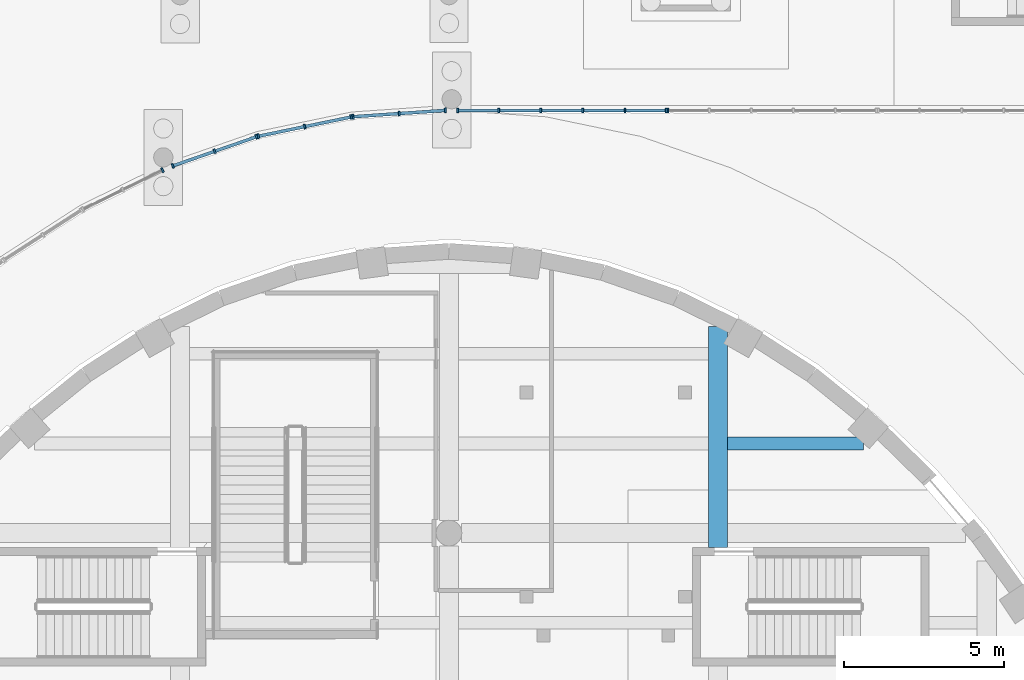
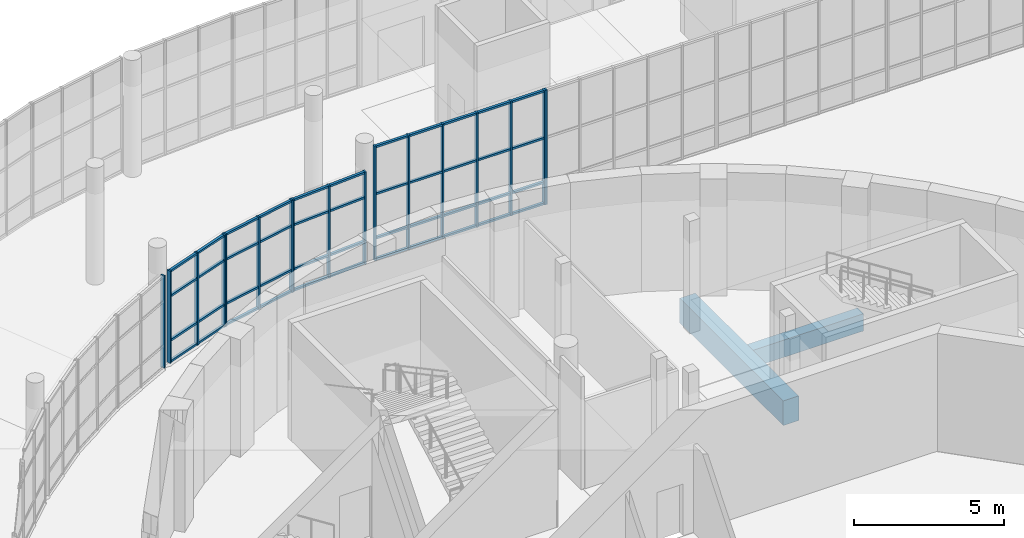
# One storey, part 32 of 110: 61 members, 2 beams, 6 elements without a shape of their own.
"""IFC4 building model written with IfcOpenShell, lengths in metres."""

from ifc_helpers import new_model, si_unit, direction, frame, origin, origin_2d, place, context, subcontext, project, spatial, rectangle, extrude, material, layer, layer_set, material_profile, profile_set, type_object, element, aggregate, save


model = new_model("IFC4")

# Units and contexts
model_context = context("Model", 3, precision=1e-05, world=origin(), true_north=direction((0.0, 1.0)))
body_context = subcontext(model_context, "Body", "Model", "MODEL_VIEW")
ifc_project = project(units=[si_unit("LENGTHUNIT", "METRE"), si_unit("AREAUNIT", "SQUARE_METRE"), si_unit("VOLUMEUNIT", "CUBIC_METRE"), si_unit("PLANEANGLEUNIT", "RADIAN"), si_unit("MASSUNIT", "GRAM", prefix="KILO")], contexts=[model_context])

# Site, building, storey
site_placement = place(None, origin())
site = spatial("IfcSite", under=ifc_project, at=site_placement, CompositionType="ELEMENT")
building_placement = place(site_placement, origin())
building = spatial("IfcBuilding", under=site, at=building_placement, Name="Larchfold Concert Hall", CompositionType="ELEMENT")
storey_placement = place(building_placement, origin())
storey = spatial("IfcBuildingStorey", under=building, at=storey_placement, Name="L00", CompositionType="ELEMENT", Elevation=0.0)

# Curtain wall, member
ifc_material_1 = material(Name="Anodised graphite aluminium curtain wall", Category="aluminium")
ifc_layer = layer(ifc_material_1, 0.14990234375)
ifc_layer_set = layer_set([ifc_layer], Name="Anodised graphite aluminium curtain wall")
curtain_wall_type = type_object("IfcCurtainWallType", Name="Curtain wall WG", PredefinedType="NOTDEFINED", material=ifc_layer_set)
curtain_wall_1_placement = place(storey_placement, origin())
curtain_wall_1 = element("IfcCurtainWall", 1, at=curtain_wall_1_placement, inside=storey, type_object=curtain_wall_type, Name="Curtain wall CW0086", PredefinedType="NOTDEFINED")
ifc_material_2 = material(Name="Anodised graphite aluminium mullion", Category="aluminium")
ifc_material_profile_1 = material_profile(ifc_material_2, rectangle(XDim=0.14990234375, YDim=0.06005859375, at=origin_2d()))
ifc_profile_set_1 = profile_set([ifc_material_profile_1], Name="Anodised graphite aluminium mullion")
member_type_1 = type_object("IfcMemberType", Name="Aluminium mullion 60x150", PredefinedType="MULLION", material=ifc_profile_set_1)
member_1_placement = place(storey_placement, frame((33.65087890625, 121.135498046875, 0.0), z_axis=(0.0, 0.0, 1.0), x_axis=(-0.442304846598, 0.896864773907, 0.0)))
member_1 = element("IfcMember", 2, at=member_1_placement, type_object=member_type_1, Name="CW0086 mullion 3", PredefinedType="MULLION", context=body_context, shape_type="SweptSolid", body=[
    extrude(rectangle(XDim=0.14990234375, YDim=0.06005859375, at=origin_2d()), origin(), (0.0, 0.0, 1.0), 3.75),
])
aggregate(curtain_wall_1, [member_1])

# Curtain wall, members
curtain_wall_2_placement = place(storey_placement, origin())
curtain_wall_2 = element("IfcCurtainWall", 3, at=curtain_wall_2_placement, inside=storey, type_object=curtain_wall_type, Name="Curtain wall CW0087", PredefinedType="NOTDEFINED")
member_2_placement = place(storey_placement, frame((33.97412109375, 121.268310546875, 0.0), z_axis=(0.0, 0.0, 1.0), x_axis=(-0.32896587199, 0.944341810504, 0.0)))
member_2 = element("IfcMember", 4, at=member_2_placement, type_object=member_type_1, Name="CW0087 mullion 1", PredefinedType="MULLION", context=body_context, shape_type="SweptSolid", body=[
    extrude(rectangle(XDim=0.14990234375, YDim=0.06005859375, at=origin_2d()), origin(), (0.0, 0.0, 1.0), 3.75),
])
member_3_placement = place(storey_placement, frame((35.28125, 121.723876953125, 0.0), z_axis=(0.0, 0.0, 1.0), x_axis=(-0.32896587199, 0.944341810504, 0.0)))
member_3 = element("IfcMember", 5, at=member_3_placement, type_object=member_type_1, Name="CW0087 mullion 2", PredefinedType="MULLION", context=body_context, shape_type="SweptSolid", body=[
    extrude(rectangle(XDim=0.14990234375, YDim=0.06005859375, at=origin_2d()), origin(), (0.0, 0.0, 1.0), 3.75),
])
member_4_placement = place(storey_placement, frame((36.58837890625, 122.17919921875, 0.0), z_axis=(0.0, 0.0, 1.0), x_axis=(-0.32896587199, 0.944341810504, 0.0)))
member_4 = element("IfcMember", 6, at=member_4_placement, type_object=member_type_1, Name="CW0087 mullion 3", PredefinedType="MULLION", context=body_context, shape_type="SweptSolid", body=[
    extrude(rectangle(XDim=0.14990234375, YDim=0.06005859375, at=origin_2d()), origin(), (0.0, 0.0, 1.0), 3.75),
])

curtain_wall_3_placement = place(storey_placement, origin())
curtain_wall_3 = element("IfcCurtainWall", 7, at=curtain_wall_3_placement, inside=storey, type_object=curtain_wall_type, Name="Curtain wall CW0088", PredefinedType="NOTDEFINED")
member_5_placement = place(storey_placement, frame((36.64599609375, 122.195068359375, 0.0), z_axis=(0.0, 0.0, 1.0), x_axis=(-0.203062857741, 0.979165703957, 0.0)))
member_5 = element("IfcMember", 8, at=member_5_placement, type_object=member_type_1, Name="CW0088 mullion 1", PredefinedType="MULLION", context=body_context, shape_type="SweptSolid", body=[
    extrude(rectangle(XDim=0.14990234375, YDim=0.06005859375, at=origin_2d()), origin(), (0.0, 0.0, 1.0), 3.75),
])
member_6_placement = place(storey_placement, frame((38.0947265625, 122.495361328125, 0.0), z_axis=(0.0, 0.0, 1.0), x_axis=(-0.203062857741, 0.979165703957, 0.0)))
member_6 = element("IfcMember", 9, at=member_6_placement, type_object=member_type_1, Name="CW0088 mullion 2", PredefinedType="MULLION", context=body_context, shape_type="SweptSolid", body=[
    extrude(rectangle(XDim=0.14990234375, YDim=0.06005859375, at=origin_2d()), origin(), (0.0, 0.0, 1.0), 3.75),
])
member_7_placement = place(storey_placement, frame((39.54345703125, 122.7958984375, 0.0), z_axis=(0.0, 0.0, 1.0), x_axis=(-0.203062857741, 0.979165703957, 0.0)))
member_7 = element("IfcMember", 10, at=member_7_placement, type_object=member_type_1, Name="CW0088 mullion 3", PredefinedType="MULLION", context=body_context, shape_type="SweptSolid", body=[
    extrude(rectangle(XDim=0.14990234375, YDim=0.06005859375, at=origin_2d()), origin(), (0.0, 0.0, 1.0), 3.75),
])

curtain_wall_4_placement = place(storey_placement, origin())
curtain_wall_4 = element("IfcCurtainWall", 11, at=curtain_wall_4_placement, inside=storey, type_object=curtain_wall_type, Name="Curtain wall CW0089", PredefinedType="NOTDEFINED")
member_8_placement = place(storey_placement, frame((39.602783203125, 122.803955078125, 0.0), z_axis=(0.0, 0.0, 1.0), x_axis=(-0.068699827674, 0.997637375842, 0.0)))
member_8 = element("IfcMember", 12, at=member_8_placement, type_object=member_type_1, Name="CW0089 mullion 1", PredefinedType="MULLION", context=body_context, shape_type="SweptSolid", body=[
    extrude(rectangle(XDim=0.14990234375, YDim=0.06005859375, at=origin_2d()), origin(), (0.0, 0.0, 1.0), 3.75),
])
member_9_placement = place(storey_placement, frame((41.044189453125, 122.9033203125, 0.0), z_axis=(0.0, 0.0, 1.0), x_axis=(-0.068699827674, 0.997637375842, 0.0)))
member_9 = element("IfcMember", 13, at=member_9_placement, type_object=member_type_1, Name="CW0089 mullion 2", PredefinedType="MULLION", context=body_context, shape_type="SweptSolid", body=[
    extrude(rectangle(XDim=0.14990234375, YDim=0.06005859375, at=origin_2d()), origin(), (0.0, 0.0, 1.0), 3.75),
])
member_10_placement = place(storey_placement, frame((42.4853515625, 123.002685546875, 0.0), z_axis=(0.0, 0.0, 1.0), x_axis=(-0.068699827674, 0.997637375842, 0.0)))
member_10 = element("IfcMember", 14, at=member_10_placement, type_object=member_type_1, Name="CW0089 mullion 3", PredefinedType="MULLION", context=body_context, shape_type="SweptSolid", body=[
    extrude(rectangle(XDim=0.14990234375, YDim=0.06005859375, at=origin_2d()), origin(), (0.0, 0.0, 1.0), 3.75),
])

curtain_wall_5_placement = place(storey_placement, origin())
curtain_wall_5 = element("IfcCurtainWall", 15, at=curtain_wall_5_placement, inside=storey, type_object=curtain_wall_type, Name="Curtain wall CW0090", PredefinedType="NOTDEFINED")
member_11_placement = place(storey_placement, frame((42.87158203125, 123.0, 0.0), z_axis=(0.0, 0.0, 1.0), x_axis=(0.0, 1.0, 0.0)))
member_11 = element("IfcMember", 16, at=member_11_placement, type_object=member_type_1, Name="CW0090 mullion 1", PredefinedType="MULLION", context=body_context, shape_type="SweptSolid", body=[
    extrude(rectangle(XDim=0.14990234375, YDim=0.06005859375, at=origin_2d()), origin(), (0.0, 0.0, 1.0), 4.64990234375),
])
member_12_placement = place(storey_placement, frame((44.155517578125, 123.0, 0.0), z_axis=(0.0, 0.0, 1.0), x_axis=(0.0, 1.0, 0.0)))
member_12 = element("IfcMember", 17, at=member_12_placement, type_object=member_type_1, Name="CW0090 mullion 2", PredefinedType="MULLION", context=body_context, shape_type="SweptSolid", body=[
    extrude(rectangle(XDim=0.14990234375, YDim=0.06005859375, at=origin_2d()), origin(), (0.0, 0.0, 1.0), 4.64990234375),
])
member_13_placement = place(storey_placement, frame((45.4697265625, 123.0, 0.0), z_axis=(0.0, 0.0, 1.0), x_axis=(0.0, 1.0, 0.0)))
member_13 = element("IfcMember", 18, at=member_13_placement, type_object=member_type_1, Name="CW0090 mullion 3", PredefinedType="MULLION", context=body_context, shape_type="SweptSolid", body=[
    extrude(rectangle(XDim=0.14990234375, YDim=0.06005859375, at=origin_2d()), origin(), (0.0, 0.0, 1.0), 4.64990234375),
])
member_14_placement = place(storey_placement, frame((46.78369140625, 123.0, 0.0), z_axis=(0.0, 0.0, 1.0), x_axis=(0.0, 1.0, 0.0)))
member_14 = element("IfcMember", 19, at=member_14_placement, type_object=member_type_1, Name="CW0090 mullion 4", PredefinedType="MULLION", context=body_context, shape_type="SweptSolid", body=[
    extrude(rectangle(XDim=0.14990234375, YDim=0.06005859375, at=origin_2d()), origin(), (0.0, 0.0, 1.0), 4.64990234375),
])
member_15_placement = place(storey_placement, frame((48.097900390625, 123.0, 0.0), z_axis=(0.0, 0.0, 1.0), x_axis=(0.0, 1.0, 0.0)))
member_15 = element("IfcMember", 20, at=member_15_placement, type_object=member_type_1, Name="CW0090 mullion 5", PredefinedType="MULLION", context=body_context, shape_type="SweptSolid", body=[
    extrude(rectangle(XDim=0.14990234375, YDim=0.06005859375, at=origin_2d()), origin(), (0.0, 0.0, 1.0), 4.64990234375),
])
member_16_placement = place(storey_placement, frame((49.3818359375, 123.0, 0.0), z_axis=(0.0, 0.0, 1.0), x_axis=(0.0, 1.0, 0.0)))
member_16 = element("IfcMember", 21, at=member_16_placement, type_object=member_type_1, Name="CW0090 mullion 6", PredefinedType="MULLION", context=body_context, shape_type="SweptSolid", body=[
    extrude(rectangle(XDim=0.14990234375, YDim=0.06005859375, at=origin_2d()), origin(), (0.0, 0.0, 1.0), 4.64990234375),
])

# Curtain wall, member
curtain_wall_6_placement = place(storey_placement, origin())
curtain_wall_6 = element("IfcCurtainWall", 22, at=curtain_wall_6_placement, inside=storey, type_object=curtain_wall_type, Name="Curtain wall CW0091", PredefinedType="NOTDEFINED")
member_17_placement = place(storey_placement, frame((49.44189453125, 123.0, 0.0), z_axis=(0.0, 0.0, 1.0), x_axis=(0.0, 1.0, 0.0)))
member_17 = element("IfcMember", 23, at=member_17_placement, type_object=member_type_1, Name="CW0091 mullion 1", PredefinedType="MULLION", context=body_context, shape_type="SweptSolid", body=[
    extrude(rectangle(XDim=0.14990234375, YDim=0.06005859375, at=origin_2d()), origin(), (0.0, 0.0, 1.0), 4.64990234375),
])
aggregate(curtain_wall_6, [member_17])

# Member
ifc_material_3 = material(Name="Anodised graphite aluminium transom", Category="aluminium")
ifc_material_profile_2 = material_profile(ifc_material_3, rectangle(XDim=0.10009765625, YDim=0.080078125, at=origin_2d()))
ifc_profile_set_2 = profile_set([ifc_material_profile_2], Name="Anodised graphite aluminium transom")
member_type_2 = type_object("IfcMemberType", Name="Aluminium transom 80x100", PredefinedType="USERDEFINED", material=ifc_profile_set_2)
member_18_placement = place(storey_placement, frame((34.00244140625, 121.2783203125, 0.0400390625), z_axis=(0.944357421744, 0.328921054352, 0.0), x_axis=(-0.328921054352, 0.944357421744, 0.0)))
member_18 = element("IfcMember", 24, at=member_18_placement, type_object=member_type_2, Name="CW0087 transom 1.1", ObjectType="TRANSOM", PredefinedType="USERDEFINED", context=body_context, shape_type="SweptSolid", body=[
    extrude(rectangle(XDim=0.10009765625, YDim=0.080078125, at=origin_2d()), origin(), (0.0, 0.0, 1.0), 1.32421875),
])

member_19_placement = place(storey_placement, frame((34.00244140625, 121.2783203125, 0.89990234375), z_axis=(0.944357421744, 0.328921054352, 0.0), x_axis=(-0.328921054352, 0.944357421744, 0.0)))
member_19 = element("IfcMember", 25, at=member_19_placement, type_object=member_type_2, Name="CW0087 transom 1.2", ObjectType="TRANSOM", PredefinedType="USERDEFINED", context=body_context, shape_type="SweptSolid", body=[
    extrude(rectangle(XDim=0.10009765625, YDim=0.080078125, at=origin_2d()), origin(), (0.0, 0.0, 1.0), 1.32421875),
])

member_20_placement = place(storey_placement, frame((34.00244140625, 121.2783203125, 2.699951171875), z_axis=(0.944357421744, 0.328921054352, 0.0), x_axis=(-0.328921054352, 0.944357421744, 0.0)))
member_20 = element("IfcMember", 26, at=member_20_placement, type_object=member_type_2, Name="CW0087 transom 1.3", ObjectType="TRANSOM", PredefinedType="USERDEFINED", context=body_context, shape_type="SweptSolid", body=[
    extrude(rectangle(XDim=0.10009765625, YDim=0.080078125, at=origin_2d()), origin(), (0.0, 0.0, 1.0), 1.32421875),
])

member_21_placement = place(storey_placement, frame((34.00244140625, 121.2783203125, 3.7099609375), z_axis=(0.944357421744, 0.328921054352, 0.0), x_axis=(-0.328921054352, 0.944357421744, 0.0)))
member_21 = element("IfcMember", 27, at=member_21_placement, type_object=member_type_2, Name="CW0087 transom 1.4", ObjectType="TRANSOM", PredefinedType="USERDEFINED", context=body_context, shape_type="SweptSolid", body=[
    extrude(rectangle(XDim=0.10009765625, YDim=0.080078125, at=origin_2d()), origin(), (0.0, 0.0, 1.0), 1.32421875),
])

member_22_placement = place(storey_placement, frame((35.3095703125, 121.733642578125, 0.0400390625), z_axis=(0.944357421744, 0.328921054352, 0.0), x_axis=(-0.328921054352, 0.944357421744, 0.0)))
member_22 = element("IfcMember", 28, at=member_22_placement, type_object=member_type_2, Name="CW0087 transom 2.1", ObjectType="TRANSOM", PredefinedType="USERDEFINED", context=body_context, shape_type="SweptSolid", body=[
    extrude(rectangle(XDim=0.10009765625, YDim=0.080078125, at=origin_2d()), origin(), (0.0, 0.0, 1.0), 1.32421875),
])

member_23_placement = place(storey_placement, frame((35.3095703125, 121.733642578125, 0.89990234375), z_axis=(0.944357421744, 0.328921054352, 0.0), x_axis=(-0.328921054352, 0.944357421744, 0.0)))
member_23 = element("IfcMember", 29, at=member_23_placement, type_object=member_type_2, Name="CW0087 transom 2.2", ObjectType="TRANSOM", PredefinedType="USERDEFINED", context=body_context, shape_type="SweptSolid", body=[
    extrude(rectangle(XDim=0.10009765625, YDim=0.080078125, at=origin_2d()), origin(), (0.0, 0.0, 1.0), 1.32421875),
])

member_24_placement = place(storey_placement, frame((35.3095703125, 121.733642578125, 2.699951171875), z_axis=(0.944357421744, 0.328921054352, 0.0), x_axis=(-0.328921054352, 0.944357421744, 0.0)))
member_24 = element("IfcMember", 30, at=member_24_placement, type_object=member_type_2, Name="CW0087 transom 2.3", ObjectType="TRANSOM", PredefinedType="USERDEFINED", context=body_context, shape_type="SweptSolid", body=[
    extrude(rectangle(XDim=0.10009765625, YDim=0.080078125, at=origin_2d()), origin(), (0.0, 0.0, 1.0), 1.32421875),
])

member_25_placement = place(storey_placement, frame((35.3095703125, 121.733642578125, 3.7099609375), z_axis=(0.944357421744, 0.328921054352, 0.0), x_axis=(-0.328921054352, 0.944357421744, 0.0)))
member_25 = element("IfcMember", 31, at=member_25_placement, type_object=member_type_2, Name="CW0087 transom 2.4", ObjectType="TRANSOM", PredefinedType="USERDEFINED", context=body_context, shape_type="SweptSolid", body=[
    extrude(rectangle(XDim=0.10009765625, YDim=0.080078125, at=origin_2d()), origin(), (0.0, 0.0, 1.0), 1.32421875),
])

aggregate(curtain_wall_2, [member_2, member_3, member_4, member_18, member_19, member_20, member_21, member_22, member_23, member_24, member_25])

member_26_placement = place(storey_placement, frame((36.675537109375, 122.201171875, 0.0400390625), z_axis=(0.979153204185, 0.203123122105, 0.0), x_axis=(-0.203123122105, 0.979153204185, 0.0)))
member_26 = element("IfcMember", 32, at=member_26_placement, type_object=member_type_2, Name="CW0088 transom 1.1", ObjectType="TRANSOM", PredefinedType="USERDEFINED", context=body_context, shape_type="SweptSolid", body=[
    extrude(rectangle(XDim=0.10009765625, YDim=0.080078125, at=origin_2d()), origin(), (0.0, 0.0, 1.0), 1.41943359375),
])

member_27_placement = place(storey_placement, frame((36.675537109375, 122.201171875, 0.89990234375), z_axis=(0.979153204185, 0.203123122105, 0.0), x_axis=(-0.203123122105, 0.979153204185, 0.0)))
member_27 = element("IfcMember", 33, at=member_27_placement, type_object=member_type_2, Name="CW0088 transom 1.2", ObjectType="TRANSOM", PredefinedType="USERDEFINED", context=body_context, shape_type="SweptSolid", body=[
    extrude(rectangle(XDim=0.10009765625, YDim=0.080078125, at=origin_2d()), origin(), (0.0, 0.0, 1.0), 1.41943359375),
])

member_28_placement = place(storey_placement, frame((36.675537109375, 122.201171875, 2.699951171875), z_axis=(0.979153204185, 0.203123122105, 0.0), x_axis=(-0.203123122105, 0.979153204185, 0.0)))
member_28 = element("IfcMember", 34, at=member_28_placement, type_object=member_type_2, Name="CW0088 transom 1.3", ObjectType="TRANSOM", PredefinedType="USERDEFINED", context=body_context, shape_type="SweptSolid", body=[
    extrude(rectangle(XDim=0.10009765625, YDim=0.080078125, at=origin_2d()), origin(), (0.0, 0.0, 1.0), 1.41943359375),
])

member_29_placement = place(storey_placement, frame((36.675537109375, 122.201171875, 3.7099609375), z_axis=(0.979153204185, 0.203123122105, 0.0), x_axis=(-0.203123122105, 0.979153204185, 0.0)))
member_29 = element("IfcMember", 35, at=member_29_placement, type_object=member_type_2, Name="CW0088 transom 1.4", ObjectType="TRANSOM", PredefinedType="USERDEFINED", context=body_context, shape_type="SweptSolid", body=[
    extrude(rectangle(XDim=0.10009765625, YDim=0.080078125, at=origin_2d()), origin(), (0.0, 0.0, 1.0), 1.41943359375),
])

member_30_placement = place(storey_placement, frame((38.1240234375, 122.50146484375, 0.0400390625), z_axis=(0.979153204185, 0.203123122105, 0.0), x_axis=(-0.203123122105, 0.979153204185, 0.0)))
member_30 = element("IfcMember", 36, at=member_30_placement, type_object=member_type_2, Name="CW0088 transom 2.1", ObjectType="TRANSOM", PredefinedType="USERDEFINED", context=body_context, shape_type="SweptSolid", body=[
    extrude(rectangle(XDim=0.10009765625, YDim=0.080078125, at=origin_2d()), origin(), (0.0, 0.0, 1.0), 1.41943359375),
])

member_31_placement = place(storey_placement, frame((38.1240234375, 122.50146484375, 0.89990234375), z_axis=(0.979153204185, 0.203123122105, 0.0), x_axis=(-0.203123122105, 0.979153204185, 0.0)))
member_31 = element("IfcMember", 37, at=member_31_placement, type_object=member_type_2, Name="CW0088 transom 2.2", ObjectType="TRANSOM", PredefinedType="USERDEFINED", context=body_context, shape_type="SweptSolid", body=[
    extrude(rectangle(XDim=0.10009765625, YDim=0.080078125, at=origin_2d()), origin(), (0.0, 0.0, 1.0), 1.41943359375),
])

member_32_placement = place(storey_placement, frame((38.1240234375, 122.50146484375, 2.699951171875), z_axis=(0.979153204185, 0.203123122105, 0.0), x_axis=(-0.203123122105, 0.979153204185, 0.0)))
member_32 = element("IfcMember", 38, at=member_32_placement, type_object=member_type_2, Name="CW0088 transom 2.3", ObjectType="TRANSOM", PredefinedType="USERDEFINED", context=body_context, shape_type="SweptSolid", body=[
    extrude(rectangle(XDim=0.10009765625, YDim=0.080078125, at=origin_2d()), origin(), (0.0, 0.0, 1.0), 1.41943359375),
])

member_33_placement = place(storey_placement, frame((38.1240234375, 122.50146484375, 3.7099609375), z_axis=(0.979153204185, 0.203123122105, 0.0), x_axis=(-0.203123122105, 0.979153204185, 0.0)))
member_33 = element("IfcMember", 39, at=member_33_placement, type_object=member_type_2, Name="CW0088 transom 2.4", ObjectType="TRANSOM", PredefinedType="USERDEFINED", context=body_context, shape_type="SweptSolid", body=[
    extrude(rectangle(XDim=0.10009765625, YDim=0.080078125, at=origin_2d()), origin(), (0.0, 0.0, 1.0), 1.41943359375),
])

aggregate(curtain_wall_3, [member_5, member_6, member_7, member_26, member_27, member_28, member_29, member_30, member_31, member_32, member_33])

member_34_placement = place(storey_placement, frame((39.632568359375, 122.80615234375, 0.0400390625), z_axis=(0.997633665313, 0.068753689605, 0.0), x_axis=(-0.068753689605, 0.997633665313, 0.0)))
member_34 = element("IfcMember", 40, at=member_34_placement, type_object=member_type_2, Name="CW0089 transom 1.1", ObjectType="TRANSOM", PredefinedType="USERDEFINED", context=body_context, shape_type="SweptSolid", body=[
    extrude(rectangle(XDim=0.10009765625, YDim=0.080078125, at=origin_2d()), origin(), (0.0, 0.0, 1.0), 1.384765625),
])

member_35_placement = place(storey_placement, frame((39.632568359375, 122.80615234375, 0.89990234375), z_axis=(0.997633665313, 0.068753689605, 0.0), x_axis=(-0.068753689605, 0.997633665313, 0.0)))
member_35 = element("IfcMember", 41, at=member_35_placement, type_object=member_type_2, Name="CW0089 transom 1.2", ObjectType="TRANSOM", PredefinedType="USERDEFINED", context=body_context, shape_type="SweptSolid", body=[
    extrude(rectangle(XDim=0.10009765625, YDim=0.080078125, at=origin_2d()), origin(), (0.0, 0.0, 1.0), 1.384765625),
])

member_36_placement = place(storey_placement, frame((39.632568359375, 122.80615234375, 2.699951171875), z_axis=(0.997633665313, 0.068753689605, 0.0), x_axis=(-0.068753689605, 0.997633665313, 0.0)))
member_36 = element("IfcMember", 42, at=member_36_placement, type_object=member_type_2, Name="CW0089 transom 1.3", ObjectType="TRANSOM", PredefinedType="USERDEFINED", context=body_context, shape_type="SweptSolid", body=[
    extrude(rectangle(XDim=0.10009765625, YDim=0.080078125, at=origin_2d()), origin(), (0.0, 0.0, 1.0), 1.384765625),
])

member_37_placement = place(storey_placement, frame((39.632568359375, 122.80615234375, 3.7099609375), z_axis=(0.997633665313, 0.068753689605, 0.0), x_axis=(-0.068753689605, 0.997633665313, 0.0)))
member_37 = element("IfcMember", 43, at=member_37_placement, type_object=member_type_2, Name="CW0089 transom 1.4", ObjectType="TRANSOM", PredefinedType="USERDEFINED", context=body_context, shape_type="SweptSolid", body=[
    extrude(rectangle(XDim=0.10009765625, YDim=0.080078125, at=origin_2d()), origin(), (0.0, 0.0, 1.0), 1.384765625),
])

member_38_placement = place(storey_placement, frame((41.073974609375, 122.9052734375, 0.0400390625), z_axis=(0.997633665313, 0.068753689605, 0.0), x_axis=(-0.068753689605, 0.997633665313, 0.0)))
member_38 = element("IfcMember", 44, at=member_38_placement, type_object=member_type_2, Name="CW0089 transom 2.1", ObjectType="TRANSOM", PredefinedType="USERDEFINED", context=body_context, shape_type="SweptSolid", body=[
    extrude(rectangle(XDim=0.10009765625, YDim=0.080078125, at=origin_2d()), origin(), (0.0, 0.0, 1.0), 1.384765625),
])

member_39_placement = place(storey_placement, frame((41.073974609375, 122.9052734375, 0.89990234375), z_axis=(0.997633665313, 0.068753689605, 0.0), x_axis=(-0.068753689605, 0.997633665313, 0.0)))
member_39 = element("IfcMember", 45, at=member_39_placement, type_object=member_type_2, Name="CW0089 transom 2.2", ObjectType="TRANSOM", PredefinedType="USERDEFINED", context=body_context, shape_type="SweptSolid", body=[
    extrude(rectangle(XDim=0.10009765625, YDim=0.080078125, at=origin_2d()), origin(), (0.0, 0.0, 1.0), 1.384765625),
])

member_40_placement = place(storey_placement, frame((41.073974609375, 122.9052734375, 2.699951171875), z_axis=(0.997633665313, 0.068753689605, 0.0), x_axis=(-0.068753689605, 0.997633665313, 0.0)))
member_40 = element("IfcMember", 46, at=member_40_placement, type_object=member_type_2, Name="CW0089 transom 2.3", ObjectType="TRANSOM", PredefinedType="USERDEFINED", context=body_context, shape_type="SweptSolid", body=[
    extrude(rectangle(XDim=0.10009765625, YDim=0.080078125, at=origin_2d()), origin(), (0.0, 0.0, 1.0), 1.384765625),
])

member_41_placement = place(storey_placement, frame((41.073974609375, 122.9052734375, 3.7099609375), z_axis=(0.997633665313, 0.068753689605, 0.0), x_axis=(-0.068753689605, 0.997633665313, 0.0)))
member_41 = element("IfcMember", 47, at=member_41_placement, type_object=member_type_2, Name="CW0089 transom 2.4", ObjectType="TRANSOM", PredefinedType="USERDEFINED", context=body_context, shape_type="SweptSolid", body=[
    extrude(rectangle(XDim=0.10009765625, YDim=0.080078125, at=origin_2d()), origin(), (0.0, 0.0, 1.0), 1.384765625),
])

aggregate(curtain_wall_4, [member_8, member_9, member_10, member_34, member_35, member_36, member_37, member_38, member_39, member_40, member_41])

member_42_placement = place(storey_placement, frame((42.901611328125, 123.0, 0.0400390625), z_axis=(1.0, 0.0, 0.0), x_axis=(0.0, 1.0, 0.0)))
member_42 = element("IfcMember", 48, at=member_42_placement, type_object=member_type_2, Name="CW0090 transom 1.1", ObjectType="TRANSOM", PredefinedType="USERDEFINED", context=body_context, shape_type="SweptSolid", body=[
    extrude(rectangle(XDim=0.10009765625, YDim=0.080078125, at=origin_2d()), origin(), (0.0, 0.0, 1.0), 1.22412109375),
])

member_43_placement = place(storey_placement, frame((42.901611328125, 123.0, 0.89990234375), z_axis=(1.0, 0.0, 0.0), x_axis=(0.0, 1.0, 0.0)))
member_43 = element("IfcMember", 49, at=member_43_placement, type_object=member_type_2, Name="CW0090 transom 1.2", ObjectType="TRANSOM", PredefinedType="USERDEFINED", context=body_context, shape_type="SweptSolid", body=[
    extrude(rectangle(XDim=0.10009765625, YDim=0.080078125, at=origin_2d()), origin(), (0.0, 0.0, 1.0), 1.22412109375),
])

member_44_placement = place(storey_placement, frame((42.901611328125, 123.0, 2.699951171875), z_axis=(1.0, 0.0, 0.0), x_axis=(0.0, 1.0, 0.0)))
member_44 = element("IfcMember", 50, at=member_44_placement, type_object=member_type_2, Name="CW0090 transom 1.3", ObjectType="TRANSOM", PredefinedType="USERDEFINED", context=body_context, shape_type="SweptSolid", body=[
    extrude(rectangle(XDim=0.10009765625, YDim=0.080078125, at=origin_2d()), origin(), (0.0, 0.0, 1.0), 1.22412109375),
])

member_45_placement = place(storey_placement, frame((42.901611328125, 123.0, 4.60986328125), z_axis=(1.0, 0.0, 0.0), x_axis=(0.0, 1.0, 0.0)))
member_45 = element("IfcMember", 51, at=member_45_placement, type_object=member_type_2, Name="CW0090 transom 1.4", ObjectType="TRANSOM", PredefinedType="USERDEFINED", context=body_context, shape_type="SweptSolid", body=[
    extrude(rectangle(XDim=0.10009765625, YDim=0.080078125, at=origin_2d()), origin(), (0.0, 0.0, 1.0), 1.22412109375),
])

member_46_placement = place(storey_placement, frame((44.185546875, 123.0, 0.0400390625), z_axis=(1.0, 0.0, 0.0), x_axis=(0.0, 1.0, 0.0)))
member_46 = element("IfcMember", 52, at=member_46_placement, type_object=member_type_2, Name="CW0090 transom 2.1", ObjectType="TRANSOM", PredefinedType="USERDEFINED", context=body_context, shape_type="SweptSolid", body=[
    extrude(rectangle(XDim=0.10009765625, YDim=0.080078125, at=origin_2d()), origin(), (0.0, 0.0, 1.0), 1.254150390625),
])

member_47_placement = place(storey_placement, frame((44.185546875, 123.0, 0.89990234375), z_axis=(1.0, 0.0, 0.0), x_axis=(0.0, 1.0, 0.0)))
member_47 = element("IfcMember", 53, at=member_47_placement, type_object=member_type_2, Name="CW0090 transom 2.2", ObjectType="TRANSOM", PredefinedType="USERDEFINED", context=body_context, shape_type="SweptSolid", body=[
    extrude(rectangle(XDim=0.10009765625, YDim=0.080078125, at=origin_2d()), origin(), (0.0, 0.0, 1.0), 1.254150390625),
])

member_48_placement = place(storey_placement, frame((44.185546875, 123.0, 2.699951171875), z_axis=(1.0, 0.0, 0.0), x_axis=(0.0, 1.0, 0.0)))
member_48 = element("IfcMember", 54, at=member_48_placement, type_object=member_type_2, Name="CW0090 transom 2.3", ObjectType="TRANSOM", PredefinedType="USERDEFINED", context=body_context, shape_type="SweptSolid", body=[
    extrude(rectangle(XDim=0.10009765625, YDim=0.080078125, at=origin_2d()), origin(), (0.0, 0.0, 1.0), 1.254150390625),
])

member_49_placement = place(storey_placement, frame((44.185546875, 123.0, 4.60986328125), z_axis=(1.0, 0.0, 0.0), x_axis=(0.0, 1.0, 0.0)))
member_49 = element("IfcMember", 55, at=member_49_placement, type_object=member_type_2, Name="CW0090 transom 2.4", ObjectType="TRANSOM", PredefinedType="USERDEFINED", context=body_context, shape_type="SweptSolid", body=[
    extrude(rectangle(XDim=0.10009765625, YDim=0.080078125, at=origin_2d()), origin(), (0.0, 0.0, 1.0), 1.254150390625),
])

member_50_placement = place(storey_placement, frame((45.499755859375, 123.0, 0.0400390625), z_axis=(1.0, 0.0, 0.0), x_axis=(0.0, 1.0, 0.0)))
member_50 = element("IfcMember", 56, at=member_50_placement, type_object=member_type_2, Name="CW0090 transom 3.1", ObjectType="TRANSOM", PredefinedType="USERDEFINED", context=body_context, shape_type="SweptSolid", body=[
    extrude(rectangle(XDim=0.10009765625, YDim=0.080078125, at=origin_2d()), origin(), (0.0, 0.0, 1.0), 1.25390625),
])

member_51_placement = place(storey_placement, frame((45.499755859375, 123.0, 0.89990234375), z_axis=(1.0, 0.0, 0.0), x_axis=(0.0, 1.0, 0.0)))
member_51 = element("IfcMember", 57, at=member_51_placement, type_object=member_type_2, Name="CW0090 transom 3.2", ObjectType="TRANSOM", PredefinedType="USERDEFINED", context=body_context, shape_type="SweptSolid", body=[
    extrude(rectangle(XDim=0.10009765625, YDim=0.080078125, at=origin_2d()), origin(), (0.0, 0.0, 1.0), 1.25390625),
])

member_52_placement = place(storey_placement, frame((45.499755859375, 123.0, 2.699951171875), z_axis=(1.0, 0.0, 0.0), x_axis=(0.0, 1.0, 0.0)))
member_52 = element("IfcMember", 58, at=member_52_placement, type_object=member_type_2, Name="CW0090 transom 3.3", ObjectType="TRANSOM", PredefinedType="USERDEFINED", context=body_context, shape_type="SweptSolid", body=[
    extrude(rectangle(XDim=0.10009765625, YDim=0.080078125, at=origin_2d()), origin(), (0.0, 0.0, 1.0), 1.25390625),
])

member_53_placement = place(storey_placement, frame((45.499755859375, 123.0, 4.60986328125), z_axis=(1.0, 0.0, 0.0), x_axis=(0.0, 1.0, 0.0)))
member_53 = element("IfcMember", 59, at=member_53_placement, type_object=member_type_2, Name="CW0090 transom 3.4", ObjectType="TRANSOM", PredefinedType="USERDEFINED", context=body_context, shape_type="SweptSolid", body=[
    extrude(rectangle(XDim=0.10009765625, YDim=0.080078125, at=origin_2d()), origin(), (0.0, 0.0, 1.0), 1.25390625),
])

member_54_placement = place(storey_placement, frame((46.813720703125, 123.0, 0.0400390625), z_axis=(1.0, 0.0, 0.0), x_axis=(0.0, 1.0, 0.0)))
member_54 = element("IfcMember", 60, at=member_54_placement, type_object=member_type_2, Name="CW0090 transom 4.1", ObjectType="TRANSOM", PredefinedType="USERDEFINED", context=body_context, shape_type="SweptSolid", body=[
    extrude(rectangle(XDim=0.10009765625, YDim=0.080078125, at=origin_2d()), origin(), (0.0, 0.0, 1.0), 1.254150390625),
])

member_55_placement = place(storey_placement, frame((46.813720703125, 123.0, 0.89990234375), z_axis=(1.0, 0.0, 0.0), x_axis=(0.0, 1.0, 0.0)))
member_55 = element("IfcMember", 61, at=member_55_placement, type_object=member_type_2, Name="CW0090 transom 4.2", ObjectType="TRANSOM", PredefinedType="USERDEFINED", context=body_context, shape_type="SweptSolid", body=[
    extrude(rectangle(XDim=0.10009765625, YDim=0.080078125, at=origin_2d()), origin(), (0.0, 0.0, 1.0), 1.254150390625),
])

member_56_placement = place(storey_placement, frame((46.813720703125, 123.0, 2.699951171875), z_axis=(1.0, 0.0, 0.0), x_axis=(0.0, 1.0, 0.0)))
member_56 = element("IfcMember", 62, at=member_56_placement, type_object=member_type_2, Name="CW0090 transom 4.3", ObjectType="TRANSOM", PredefinedType="USERDEFINED", context=body_context, shape_type="SweptSolid", body=[
    extrude(rectangle(XDim=0.10009765625, YDim=0.080078125, at=origin_2d()), origin(), (0.0, 0.0, 1.0), 1.254150390625),
])

member_57_placement = place(storey_placement, frame((46.813720703125, 123.0, 4.60986328125), z_axis=(1.0, 0.0, 0.0), x_axis=(0.0, 1.0, 0.0)))
member_57 = element("IfcMember", 63, at=member_57_placement, type_object=member_type_2, Name="CW0090 transom 4.4", ObjectType="TRANSOM", PredefinedType="USERDEFINED", context=body_context, shape_type="SweptSolid", body=[
    extrude(rectangle(XDim=0.10009765625, YDim=0.080078125, at=origin_2d()), origin(), (0.0, 0.0, 1.0), 1.254150390625),
])

member_58_placement = place(storey_placement, frame((48.127685546875, 123.0, 0.0400390625), z_axis=(1.0, 0.0, 0.0), x_axis=(0.0, 1.0, 0.0)))
member_58 = element("IfcMember", 64, at=member_58_placement, type_object=member_type_2, Name="CW0090 transom 5.1", ObjectType="TRANSOM", PredefinedType="USERDEFINED", context=body_context, shape_type="SweptSolid", body=[
    extrude(rectangle(XDim=0.10009765625, YDim=0.080078125, at=origin_2d()), origin(), (0.0, 0.0, 1.0), 1.22412109375),
])

member_59_placement = place(storey_placement, frame((48.127685546875, 123.0, 0.89990234375), z_axis=(1.0, 0.0, 0.0), x_axis=(0.0, 1.0, 0.0)))
member_59 = element("IfcMember", 65, at=member_59_placement, type_object=member_type_2, Name="CW0090 transom 5.2", ObjectType="TRANSOM", PredefinedType="USERDEFINED", context=body_context, shape_type="SweptSolid", body=[
    extrude(rectangle(XDim=0.10009765625, YDim=0.080078125, at=origin_2d()), origin(), (0.0, 0.0, 1.0), 1.22412109375),
])

member_60_placement = place(storey_placement, frame((48.127685546875, 123.0, 2.699951171875), z_axis=(1.0, 0.0, 0.0), x_axis=(0.0, 1.0, 0.0)))
member_60 = element("IfcMember", 66, at=member_60_placement, type_object=member_type_2, Name="CW0090 transom 5.3", ObjectType="TRANSOM", PredefinedType="USERDEFINED", context=body_context, shape_type="SweptSolid", body=[
    extrude(rectangle(XDim=0.10009765625, YDim=0.080078125, at=origin_2d()), origin(), (0.0, 0.0, 1.0), 1.22412109375),
])

member_61_placement = place(storey_placement, frame((48.127685546875, 123.0, 4.60986328125), z_axis=(1.0, 0.0, 0.0), x_axis=(0.0, 1.0, 0.0)))
member_61 = element("IfcMember", 67, at=member_61_placement, type_object=member_type_2, Name="CW0090 transom 5.4", ObjectType="TRANSOM", PredefinedType="USERDEFINED", context=body_context, shape_type="SweptSolid", body=[
    extrude(rectangle(XDim=0.10009765625, YDim=0.080078125, at=origin_2d()), origin(), (0.0, 0.0, 1.0), 1.22412109375),
])

aggregate(curtain_wall_5, [member_11, member_12, member_13, member_14, member_15, member_16, member_42, member_43, member_44, member_45, member_46, member_47, member_48, member_49, member_50, member_51, member_52, member_53, member_54, member_55, member_56, member_57, member_58, member_59, member_60, member_61])

# Beams
ifc_material_4 = material(Name="Concrete C35/45", Category="concrete")
ifc_material_profile_3 = material_profile(ifc_material_4, rectangle(XDim=0.39990234375, YDim=0.699951171875, at=origin_2d()))
ifc_profile_set_3 = profile_set([ifc_material_profile_3], Name="Concrete C35/45")
beam_type_1 = type_object("IfcBeamType", Name="Beam RC 400x700", PredefinedType="BEAM", material=ifc_profile_set_3)
beam_1_placement = place(storey_placement, frame((51.300048828125, 112.60009765625, -0.550048828125), z_axis=(1.0, 0.0, 0.0), x_axis=(0.0, 1.0, 0.0)))
element("IfcBeam", 68, at=beam_1_placement, inside=storey, type_object=beam_type_1, Name="Beam B1180", PredefinedType="BEAM", context=body_context, shape_type="SweptSolid", body=[
    extrude(rectangle(XDim=0.39990234375, YDim=0.699951171875, at=origin_2d()), origin(), (0.0, 0.0, 1.0), 4.245361328125),
])
ifc_material_5 = material(Name="Concrete C35/45", Category="concrete")
ifc_material_profile_4 = material_profile(ifc_material_5, rectangle(XDim=0.60009765625, YDim=1.0, at=origin_2d()))
ifc_profile_set_4 = profile_set([ifc_material_profile_4], Name="Concrete C35/45")
beam_type_2 = type_object("IfcBeamType", Name="Beam RC 600x1000", PredefinedType="BEAM", material=ifc_profile_set_4)
beam_2_placement = place(storey_placement, frame((51.0, 109.35009765625, -0.699951171875), z_axis=(0.0, 1.0, 0.0), x_axis=(-1.0, 0.0, 0.0)))
element("IfcBeam", 69, at=beam_2_placement, inside=storey, type_object=beam_type_2, Name="Beam B1115", PredefinedType="BEAM", context=body_context, shape_type="SweptSolid", body=[
    extrude(rectangle(XDim=0.60009765625, YDim=1.0, at=origin_2d()), origin(), (0.0, 0.0, 1.0), 6.893798828125),
])

save(model, "model.ifc")
